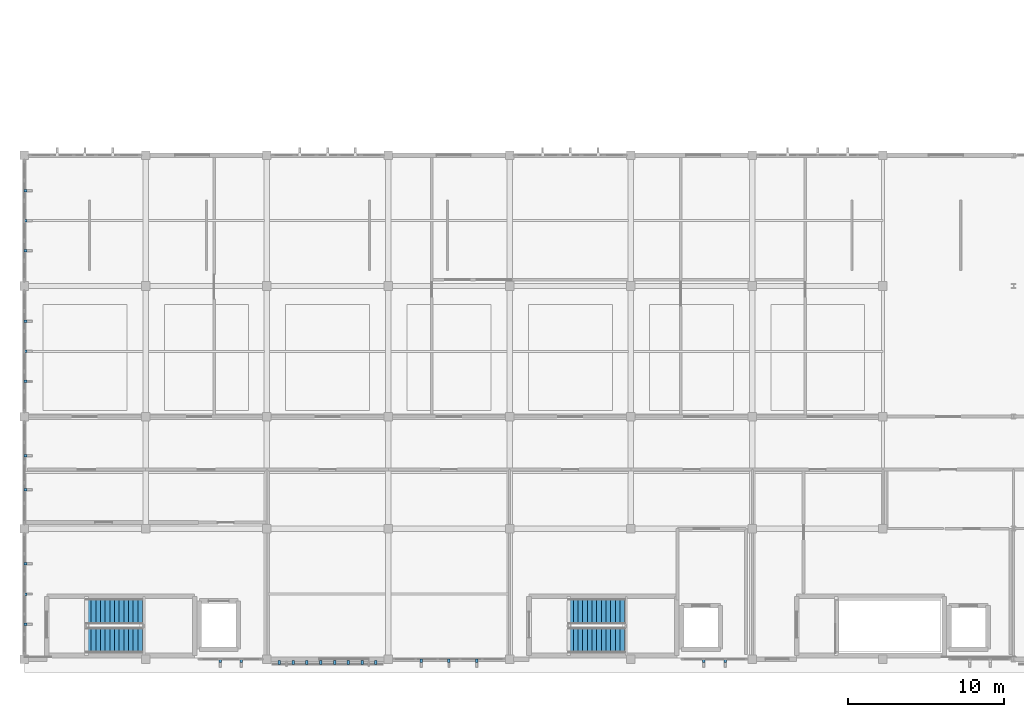
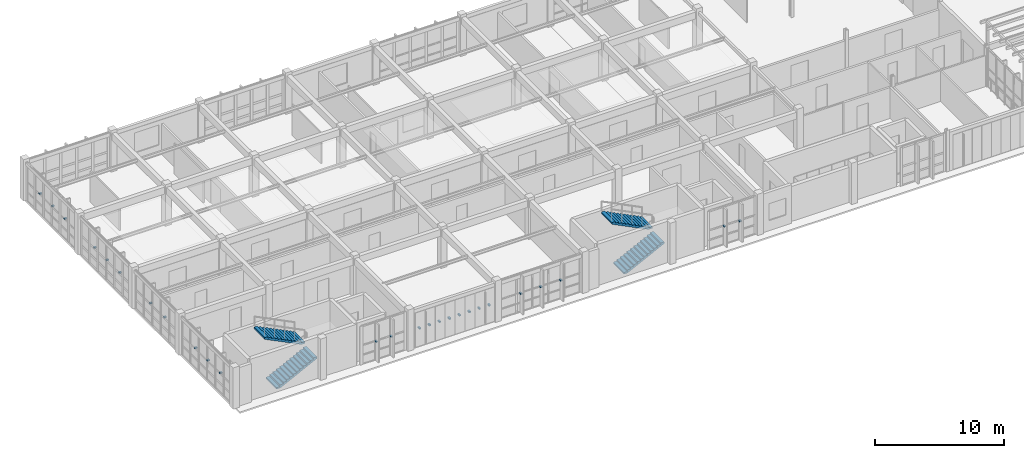
# One storey, part 25 of 35: 26 discrete accessories, 4 stair flights, 2 elements without a shape of their own.
"""IFC4 building model written with IfcOpenShell, lengths in metres."""

from ifc_helpers import new_model, si_unit, direction, frame, origin, origin_2d, place, context, subcontext, project, spatial, polyline, rectangle, outline, extrude, material, type_object, element, aggregate, save


model = new_model("IFC4")

# Units and contexts
model_context = context("Model", 3, precision=1e-05, world=origin(), true_north=direction((0.0, 1.0)))
body_context = subcontext(model_context, "Body", "Model", "MODEL_VIEW")
ifc_project = project(units=[si_unit("LENGTHUNIT", "METRE"), si_unit("AREAUNIT", "SQUARE_METRE"), si_unit("VOLUMEUNIT", "CUBIC_METRE"), si_unit("PLANEANGLEUNIT", "RADIAN"), si_unit("MASSUNIT", "GRAM", prefix="KILO")], contexts=[model_context])

# Site, building, storey
site_placement = place(None, origin())
site = spatial("IfcSite", under=ifc_project, at=site_placement, CompositionType="ELEMENT")
building_placement = place(site_placement, origin())
building = spatial("IfcBuilding", under=site, at=building_placement, Name="Tizgana Railside Sports Hall", CompositionType="ELEMENT")
storey_placement = place(building_placement, frame((0.0, 0.0, 15.89990234375)))
storey = spatial("IfcBuildingStorey", under=building, at=storey_placement, Name="L03", CompositionType="ELEMENT", Elevation=15.89990234375)

# Stair, stair flights
ifc_material_1 = material(Name="Concrete C35/45", Category="concrete")
stair_type_1 = type_object("IfcStairType", Name="Core Protected Stair 1500", PredefinedType="HALF_TURN_STAIR", material=ifc_material_1)
stair_1_placement = place(storey_placement, origin())
stair_1 = element("IfcStair", 1, at=stair_1_placement, inside=storey, type_object=stair_type_1, Name="L03 Core Stair ST-01", PredefinedType="HALF_TURN_STAIR")
stair_flight_type_1 = type_object("IfcStairFlightType", Name="Core Stair Flight 1500", PredefinedType="STRAIGHT", material=ifc_material_1)
stair_flight_1_placement = place(storey_placement, frame((11.800048828125, 1.22509765625, 0.0), z_axis=(0.0, 0.0, 1.0), x_axis=(1.0, 0.0, 0.0)))
stair_flight_1 = element("IfcStairFlight", 2, at=stair_flight_1_placement, type_object=stair_flight_type_1, Name="ST-01 flight 1", NumberOfRisers=13, NumberOfTreads=12, PredefinedType="STRAIGHT", RiserHeight=0.15, TreadLength=0.3, context=body_context, shape_type="SweptSolid", body=[
    extrude(outline(polyline([(0.0, 0.0), (0.0, 0.14990234375), (0.300048828125, 0.14990234375), (0.300048828125, 0.300048828125), (0.60009765625, 0.300048828125), (0.60009765625, 0.449951171875), (0.89990234375, 0.449951171875), (0.89990234375, 0.60009765625), (1.199951171875, 0.60009765625), (1.199951171875, 0.75), (1.5, 0.75), (1.5, 0.89990234375), (1.800048828125, 0.89990234375), (1.800048828125, 1.050048828125), (2.10009765625, 1.050048828125), (2.10009765625, 1.199951171875), (2.39990234375, 1.199951171875), (2.39990234375, 1.35009765625), (2.699951171875, 1.35009765625), (2.699951171875, 1.5), (3.0, 1.5), (3.0, 1.64990234375), (3.300048828125, 1.64990234375), (3.300048828125, 1.800048828125), (3.60009765625, 1.800048828125), (3.60009765625, 1.949951171875), (3.60009765625, 1.63232421875), (0.335205078125, 0.0), (0.0, 0.0)])), frame((0.0, 0.824951171875, 0.0), z_axis=(0.0, -1.0, 0.0), x_axis=(1.0, 0.0, 0.0)), (0.0, 0.0, 1.0), 1.64990234375),
])
stair_flight_2_placement = place(storey_placement, frame((15.39990234375, 3.074951171875, 1.9501953125), z_axis=(0.0, 0.0, 1.0), x_axis=(-1.0, 0.0, 0.0)))
stair_flight_2 = element("IfcStairFlight", 3, at=stair_flight_2_placement, type_object=stair_flight_type_1, Name="ST-01 flight 2", NumberOfRisers=13, NumberOfTreads=12, PredefinedType="STRAIGHT", RiserHeight=0.15, TreadLength=0.3, context=body_context, shape_type="SweptSolid", body=[
    extrude(outline(polyline([(0.0, 0.0), (0.0, 0.14990234375), (0.300048828125, 0.14990234375), (0.300048828125, 0.300048828125), (0.60009765625, 0.300048828125), (0.60009765625, 0.449951171875), (0.89990234375, 0.449951171875), (0.89990234375, 0.60009765625), (1.199951171875, 0.60009765625), (1.199951171875, 0.75), (1.5, 0.75), (1.5, 0.89990234375), (1.800048828125, 0.89990234375), (1.800048828125, 1.050048828125), (2.10009765625, 1.050048828125), (2.10009765625, 1.199951171875), (2.39990234375, 1.199951171875), (2.39990234375, 1.35009765625), (2.699951171875, 1.35009765625), (2.699951171875, 1.5), (3.0, 1.5), (3.0, 1.64990234375), (3.300048828125, 1.64990234375), (3.300048828125, 1.800048828125), (3.60009765625, 1.800048828125), (3.60009765625, 1.949951171875), (3.60009765625, 1.63232421875), (0.335205078125, 0.0), (0.0, 0.0)])), frame((0.0, 0.824951171875, 0.0), z_axis=(0.0, -1.0, 0.0), x_axis=(1.0, 0.0, 0.0)), (0.0, 0.0, 1.0), 1.64990234375),
])
aggregate(stair_1, [stair_flight_1, stair_flight_2])

stair_type_2 = type_object("IfcStairType", Name="Tournament Court Stair 1600", PredefinedType="HALF_TURN_STAIR", material=ifc_material_1)
stair_2_placement = place(storey_placement, origin())
stair_2 = element("IfcStair", 4, at=stair_2_placement, inside=storey, type_object=stair_type_2, Name="L03 Core Stair ST-02", PredefinedType="HALF_TURN_STAIR")
stair_flight_type_2 = type_object("IfcStairFlightType", Name="Tournament Stair Flight 1600", PredefinedType="STRAIGHT", material=ifc_material_1)
stair_flight_3_placement = place(storey_placement, frame((42.800048828125, 1.22509765625, 0.0), z_axis=(0.0, 0.0, 1.0), x_axis=(1.0, 0.0, 0.0)))
stair_flight_3 = element("IfcStairFlight", 5, at=stair_flight_3_placement, type_object=stair_flight_type_2, Name="ST-02 flight 1", NumberOfRisers=13, NumberOfTreads=12, PredefinedType="STRAIGHT", RiserHeight=0.15, TreadLength=0.3, context=body_context, shape_type="SweptSolid", body=[
    extrude(outline(polyline([(0.0, 0.0), (0.0, 0.14990234375), (0.300048828125, 0.14990234375), (0.300048828125, 0.300048828125), (0.60009765625, 0.300048828125), (0.60009765625, 0.449951171875), (0.89990234375, 0.449951171875), (0.89990234375, 0.60009765625), (1.199951171875, 0.60009765625), (1.199951171875, 0.75), (1.5, 0.75), (1.5, 0.89990234375), (1.800048828125, 0.89990234375), (1.800048828125, 1.050048828125), (2.10009765625, 1.050048828125), (2.10009765625, 1.199951171875), (2.39990234375, 1.199951171875), (2.39990234375, 1.35009765625), (2.699951171875, 1.35009765625), (2.699951171875, 1.5), (3.0, 1.5), (3.0, 1.64990234375), (3.300048828125, 1.64990234375), (3.300048828125, 1.800048828125), (3.60009765625, 1.800048828125), (3.60009765625, 1.949951171875), (3.60009765625, 1.63232421875), (0.335205078125, 0.0), (0.0, 0.0)])), frame((0.0, 0.824951171875, 0.0), z_axis=(0.0, -1.0, 0.0), x_axis=(1.0, 0.0, 0.0)), (0.0, 0.0, 1.0), 1.64990234375),
])
stair_flight_4_placement = place(storey_placement, frame((46.39990234375, 3.074951171875, 1.9501953125), z_axis=(0.0, 0.0, 1.0), x_axis=(-1.0, 0.0, 0.0)))
stair_flight_4 = element("IfcStairFlight", 6, at=stair_flight_4_placement, type_object=stair_flight_type_2, Name="ST-02 flight 2", NumberOfRisers=13, NumberOfTreads=12, PredefinedType="STRAIGHT", RiserHeight=0.15, TreadLength=0.3, context=body_context, shape_type="SweptSolid", body=[
    extrude(outline(polyline([(0.0, 0.0), (0.0, 0.14990234375), (0.300048828125, 0.14990234375), (0.300048828125, 0.300048828125), (0.60009765625, 0.300048828125), (0.60009765625, 0.449951171875), (0.89990234375, 0.449951171875), (0.89990234375, 0.60009765625), (1.199951171875, 0.60009765625), (1.199951171875, 0.75), (1.5, 0.75), (1.5, 0.89990234375), (1.800048828125, 0.89990234375), (1.800048828125, 1.050048828125), (2.10009765625, 1.050048828125), (2.10009765625, 1.199951171875), (2.39990234375, 1.199951171875), (2.39990234375, 1.35009765625), (2.699951171875, 1.35009765625), (2.699951171875, 1.5), (3.0, 1.5), (3.0, 1.64990234375), (3.300048828125, 1.64990234375), (3.300048828125, 1.800048828125), (3.60009765625, 1.800048828125), (3.60009765625, 1.949951171875), (3.60009765625, 1.63232421875), (0.335205078125, 0.0), (0.0, 0.0)])), frame((0.0, 0.824951171875, 0.0), z_axis=(0.0, -1.0, 0.0), x_axis=(1.0, 0.0, 0.0)), (0.0, 0.0, 1.0), 1.64990234375),
])
aggregate(stair_2, [stair_flight_3, stair_flight_4])

# Discrete accessories
ifc_material_2 = material(Name="Steel S355J2", Category="steel")
discrete_accessory_type = type_object("IfcDiscreteAccessoryType", Name="Stainless Facade Support Bracket", PredefinedType="BRACKET", material=ifc_material_2)
for number, where, z_axis, x_axis, name in (
    (7, (21.739990234375, -0.080078125, 1.760009765625), (0.0, 0.0, 1.0), (-1.0, 0.0, 0.0), "L03 Fin Bracket"),
    (8, (20.409912109375, -0.080078125, 1.760009765625), (0.0, 0.0, 1.0), (-1.0, 0.0, 0.0), "L03 Fin Bracket"),
):
    element("IfcDiscreteAccessory", number, at=place(storey_placement, frame(where, z_axis=z_axis, x_axis=x_axis)), inside=storey, type_object=discrete_accessory_type, Name=name, PredefinedType="BRACKET", context=body_context, shape_type="SweptSolid", body=[
        extrude(rectangle(XDim=0.159912109375, YDim=0.219970703125, at=origin_2d()), origin(), (0.0, 0.0, 1.0), 0.1201171875),
    ])
for number, where, z_axis, x_axis, name in (
    (9, (30.40625, -0.199951171875, 1.75), (0.0, 0.0, 1.0), (-1.0, 0.0, 0.0), "L03 Screen Bracket"),
    (10, (29.518798828125, -0.199951171875, 1.75), (0.0, 0.0, 1.0), (-1.0, 0.0, 0.0), "L03 Screen Bracket"),
    (11, (28.631103515625, -0.199951171875, 1.75), (0.0, 0.0, 1.0), (-1.0, 0.0, 0.0), "L03 Screen Bracket"),
    (12, (27.74365234375, -0.199951171875, 1.75), (0.0, 0.0, 1.0), (-1.0, 0.0, 0.0), "L03 Screen Bracket"),
    (13, (26.856201171875, -0.199951171875, 1.75), (0.0, 0.0, 1.0), (-1.0, 0.0, 0.0), "L03 Screen Bracket"),
    (14, (25.96875, -0.199951171875, 1.75), (0.0, 0.0, 1.0), (-1.0, 0.0, 0.0), "L03 Screen Bracket"),
    (15, (25.081298828125, -0.199951171875, 1.75), (0.0, 0.0, 1.0), (-1.0, 0.0, 0.0), "L03 Screen Bracket"),
    (16, (24.19384765625, -0.199951171875, 1.75), (0.0, 0.0, 1.0), (-1.0, 0.0, 0.0), "L03 Screen Bracket"),
):
    element("IfcDiscreteAccessory", number, at=place(storey_placement, frame(where, z_axis=z_axis, x_axis=x_axis)), inside=storey, type_object=discrete_accessory_type, Name=name, PredefinedType="BRACKET", context=body_context, shape_type="SweptSolid", body=[
        extrude(rectangle(XDim=0.159912109375, YDim=0.25, at=origin_2d()), origin(), (0.0, 0.0, 1.0), 0.139892578125),
    ])
for number, where, z_axis, x_axis, name in (
    (17, (36.885009765625, -0.080078125, 1.760009765625), (0.0, 0.0, 1.0), (-1.0, 0.0, 0.0), "L03 Fin Bracket"),
    (18, (35.10009765625, -0.080078125, 1.760009765625), (0.0, 0.0, 1.0), (-1.0, 0.0, 0.0), "L03 Fin Bracket"),
    (19, (33.31494140625, -0.080078125, 1.760009765625), (0.0, 0.0, 1.0), (-1.0, 0.0, 0.0), "L03 Fin Bracket"),
    (20, (52.873291015625, -0.080078125, 1.760009765625), (0.0, 0.0, 1.0), (-1.0, 0.0, 0.0), "L03 Fin Bracket"),
    (21, (51.476806640625, -0.080078125, 1.760009765625), (0.0, 0.0, 1.0), (-1.0, 0.0, 0.0), "L03 Fin Bracket"),
    (22, (7.8798828125, 6.135009765625, 1.760009765625), (0.0, 0.0, 1.0), (0.0, -1.0, 0.0), "L03 Fin Bracket"),
    (23, (7.8798828125, 4.199951171875, 1.760009765625), (0.0, 0.0, 1.0), (0.0, -1.0, 0.0), "L03 Fin Bracket"),
    (24, (7.8798828125, 2.264892578125, 1.760009765625), (0.0, 0.0, 1.0), (0.0, -1.0, 0.0), "L03 Fin Bracket"),
    (25, (7.8798828125, 13.090087890625, 1.760009765625), (0.0, 0.0, 1.0), (0.0, -1.0, 0.0), "L03 Fin Bracket"),
    (26, (7.8798828125, 10.909912109375, 1.760009765625), (0.0, 0.0, 1.0), (0.0, -1.0, 0.0), "L03 Fin Bracket"),
    (27, (7.8798828125, 21.735107421875, 1.760009765625), (0.0, 0.0, 1.0), (0.0, -1.0, 0.0), "L03 Fin Bracket"),
    (28, (7.8798828125, 19.800048828125, 1.760009765625), (0.0, 0.0, 1.0), (0.0, -1.0, 0.0), "L03 Fin Bracket"),
    (29, (7.8798828125, 17.864990234375, 1.760009765625), (0.0, 0.0, 1.0), (0.0, -1.0, 0.0), "L03 Fin Bracket"),
    (30, (7.8798828125, 30.135009765625, 1.760009765625), (0.0, 0.0, 1.0), (0.0, -1.0, 0.0), "L03 Fin Bracket"),
    (31, (7.8798828125, 28.199951171875, 1.760009765625), (0.0, 0.0, 1.0), (0.0, -1.0, 0.0), "L03 Fin Bracket"),
    (32, (7.8798828125, 26.264892578125, 1.760009765625), (0.0, 0.0, 1.0), (0.0, -1.0, 0.0), "L03 Fin Bracket"),
):
    element("IfcDiscreteAccessory", number, at=place(storey_placement, frame(where, z_axis=z_axis, x_axis=x_axis)), inside=storey, type_object=discrete_accessory_type, Name=name, PredefinedType="BRACKET", context=body_context, shape_type="SweptSolid", body=[
        extrude(rectangle(XDim=0.159912109375, YDim=0.219970703125, at=origin_2d()), origin(), (0.0, 0.0, 1.0), 0.1201171875),
    ])

save(model, "model.ifc")
